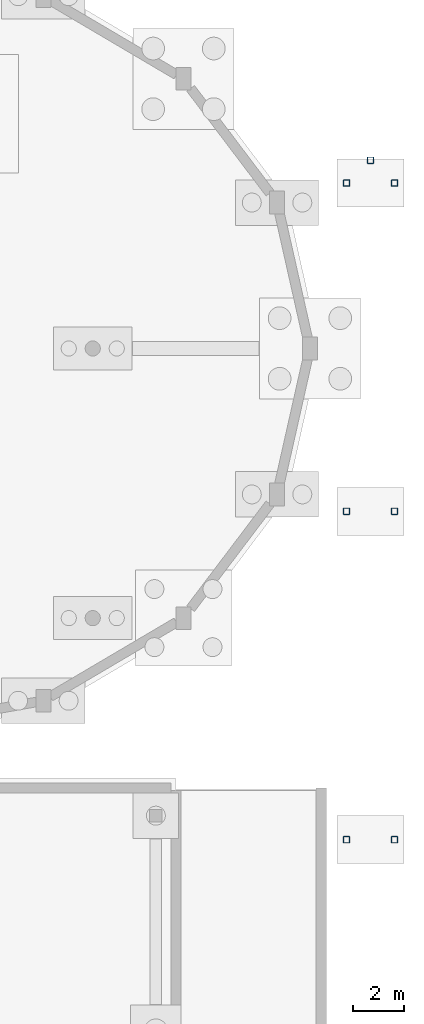
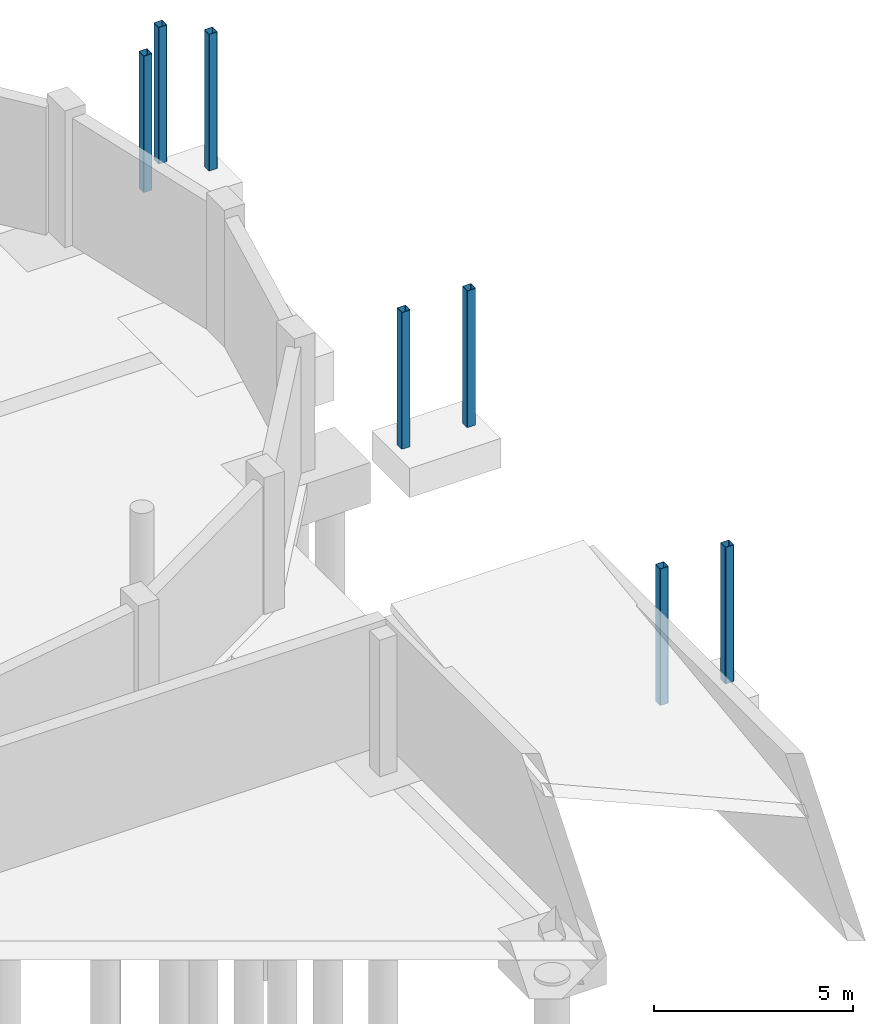
# One storey, part 26 of 43: 7 columns.
"""IFC4 building model written with IfcOpenShell, lengths in metres."""

import ifcopenshell
import ifcopenshell.guid

model = None  # the IFC model being written
_history = None  # IfcOwnerHistory: only IFC2X3 demands one
_inside = {}  # id of a spatial element -> (the spatial element, [elements in it])
_under = {}  # id of a project, library or spatial element -> (it, [spatial elements below it])
_declared = {}  # id of a project -> (the project, [libraries it declares])
_typed = {}  # id of a type object -> (the type object, [elements of that type])
_made_of = {}  # id of a material, layer set ... -> (it, [elements and type objects made of it])


def new_model(schema):
    """Start an empty IFC model of exactly this schema.

    Asked for "IFC4X3", IfcOpenShell would pick the latest addendum, in which some entities
    have other attributes; the version numbers below select the first issue.
    IFC2X3 requires an IfcOwnerHistory on every rooted entity: one is made here for all.
    """
    global model, _history
    if schema == "IFC4X3":
        model = ifcopenshell.file(schema_version=(4, 3, 0, 0))
    else:
        model = ifcopenshell.file(schema=schema)
    _inside.clear()
    _under.clear()
    _declared.clear()
    _typed.clear()
    _made_of.clear()
    _history = None
    if model.schema == "IFC2X3":
        org = make("IfcOrganization", Name="unknown")
        user = make(
            "IfcPersonAndOrganization",
            ThePerson=make("IfcPerson", FamilyName="unknown"),
            TheOrganization=org,
        )
        app = make(
            "IfcApplication",
            ApplicationDeveloper=org,
            Version="unknown",
            ApplicationFullName="unknown",
            ApplicationIdentifier="unknown",
        )
        _history = make(
            "IfcOwnerHistory",
            OwningUser=user,
            OwningApplication=app,
            ChangeAction="ADDED",
            CreationDate=0,
        )
    return model


def make(cls, **values):
    """One entity of the class cls with the attributes given. An attribute that is None is left unset."""
    return model.create_entity(
        cls, **{name: value for name, value in values.items() if value is not None}
    )


def rooted(cls, **values):
    """An entity with a GlobalId (a new one), such as an element, a storey or a relation."""
    return make(cls, GlobalId=ifcopenshell.guid.new(), OwnerHistory=_history, **values)


def si_unit(unit_type, name, prefix=None):
    """IfcSIUnit, for example si_unit("LENGTHUNIT", "METRE", prefix="MILLI")."""
    return make("IfcSIUnit", UnitType=unit_type, Prefix=prefix, Name=name)


def assignment(units):
    """IfcUnitAssignment: the units of a project."""
    return None if units is None else make("IfcUnitAssignment", Units=units)


def point(xyz):
    """IfcCartesianPoint."""
    return None if xyz is None else make("IfcCartesianPoint", Coordinates=xyz)


def direction(xyz):
    """IfcDirection."""
    return None if xyz is None else make("IfcDirection", DirectionRatios=xyz)


def frame(location, z_axis=None, x_axis=None):
    """IfcAxis2Placement3D, a coordinate frame: its origin and axes. An axis left out is left unset."""
    return make(
        "IfcAxis2Placement3D",
        Location=point(location),
        Axis=direction(z_axis),
        RefDirection=direction(x_axis),
    )


def frame_2d(location, x_axis=None):
    """IfcAxis2Placement2D, a coordinate frame in the plane: its origin and x axis."""
    return make(
        "IfcAxis2Placement2D", Location=point(location), RefDirection=direction(x_axis)
    )


def origin():
    """The frame at (0, 0, 0) with its axes left unset."""
    return frame((0.0, 0.0, 0.0))


def origin_2d():
    """The frame at (0, 0) in the plane with its x axis left unset."""
    return frame_2d((0.0, 0.0))


def place(relative_to, where):
    """IfcLocalPlacement: puts the frame where relative to a parent placement (None: the world)."""
    return make(
        "IfcLocalPlacement", PlacementRelTo=relative_to, RelativePlacement=where
    )


def context(
    kind, dimensions, precision=None, world=None, true_north=None, identifier=None
):
    """IfcGeometricRepresentationContext, for example the 3D "Model" context."""
    return make(
        "IfcGeometricRepresentationContext",
        ContextIdentifier=identifier,
        ContextType=kind,
        CoordinateSpaceDimension=dimensions,
        Precision=precision,
        WorldCoordinateSystem=world,
        TrueNorth=true_north,
    )


def subcontext(parent, identifier, kind, view, scale=None):
    """IfcGeometricRepresentationSubContext, for example "Body" below "Model"."""
    return make(
        "IfcGeometricRepresentationSubContext",
        ContextIdentifier=identifier,
        ContextType=kind,
        ParentContext=parent,
        TargetScale=scale,
        TargetView=view,
    )


def project(units=None, contexts=None):
    """IfcProject with its units and contexts."""
    return rooted(
        "IfcProject",
        Name="project",
        RepresentationContexts=contexts,
        UnitsInContext=assignment(units),
    )


def spatial(cls, under=None, at=None, **own):
    """A site, building, storey or space (cls), placed at a placement, below another one or the project."""
    s = rooted(cls, ObjectPlacement=at, **own)
    if under is not None:
        _under.setdefault(under.id(), (under, []))[1].append(s)
    return s


def profile(cls, at=None, kind="AREA", **sizes):
    """A parametric profile (cls). Its sizes go by their IFC names, for example OverallWidth=200.0."""
    return make(cls, ProfileType=kind, Position=at, **sizes)


def hollow_rectangle(**sizes):
    """IfcRectangleHollowProfileDef."""
    return profile("IfcRectangleHollowProfileDef", **sizes)


def extrude(swept, where, along, depth):
    """IfcExtrudedAreaSolid: the profile swept, set in the frame where, extruded along a direction by depth."""
    return make(
        "IfcExtrudedAreaSolid",
        SweptArea=swept,
        Position=where,
        ExtrudedDirection=direction(along),
        Depth=depth,
    )


def shape(context_of_items, identifier, shape_type, items):
    """IfcShapeRepresentation: the items that make up one representation, for example the "Body"."""
    return make(
        "IfcShapeRepresentation",
        ContextOfItems=context_of_items,
        RepresentationIdentifier=identifier,
        RepresentationType=shape_type,
        Items=items,
    )


def material(Name=None, Category=None):
    """IfcMaterial."""
    return make("IfcMaterial", Name=Name, Category=Category)


def material_profile(
    of_material, cross_section, Name=None, Category=None, Priority=None
):
    """IfcMaterialProfile: a cross section and its material."""
    return make(
        "IfcMaterialProfile",
        Name=Name,
        Material=of_material,
        Profile=cross_section,
        Priority=Priority,
        Category=Category,
    )


def profile_set(profiles, Name=None, composite=None):
    """IfcMaterialProfileSet."""
    return make(
        "IfcMaterialProfileSet",
        Name=Name,
        MaterialProfiles=profiles,
        CompositeProfile=composite,
    )


def made_of(thing, what):
    """Note that an element or type object is made of a material, layer set ...; save() writes the relation."""
    if what is not None:
        _made_of.setdefault(what.id(), (what, []))[1].append(thing)
    return thing


def type_object(cls, material=None, **own):
    """A type object (cls), such as IfcWallType, which elements share."""
    return made_of(rooted(cls, **own), material)


def element(
    cls,
    number,
    at=None,
    inside=None,
    cuts=None,
    type_object=None,
    material=None,
    context=None,
    identifier="Body",
    shape_type=None,
    held_by="IfcProductDefinitionShape",
    body=None,
    shapes=None,
    **own,
):
    """One element of the class cls, such as IfcWall. Its Tag is "e" and its number.

    at: its placement. inside: the storey or other place that contains it. cuts: it is an
    opening in that element (IfcRelVoidsElement). A single representation is given by context,
    identifier, shape_type and body (its items); several are given by shapes. held_by: the class
    of the entity that holds the representations. save() writes the other relations.
    """
    e = rooted(cls, Tag="e%d" % number, ObjectPlacement=at, **own)
    if body is not None:
        shapes = [shape(context, identifier, shape_type, body)]
    if shapes is not None:
        e.Representation = make(held_by, Representations=shapes)
    if inside is not None:
        _inside.setdefault(inside.id(), (inside, []))[1].append(e)
    if cuts is not None:
        rooted(
            "IfcRelVoidsElement", RelatingBuildingElement=cuts, RelatedOpeningElement=e
        )
    if type_object is not None:
        _typed.setdefault(type_object.id(), (type_object, []))[1].append(e)
    return made_of(e, material)


def aggregate(whole, parts):
    """IfcRelAggregates: a whole, such as a stair, and the parts it consists of."""
    return rooted("IfcRelAggregates", RelatingObject=whole, RelatedObjects=parts)


def save(model, path):
    """Write the relations noted so far, then the file.

    IfcRelAggregates (storeys below a building ...), IfcRelContainedInSpatialStructure (elements
    in a storey), IfcRelDefinesByType, IfcRelAssociatesMaterial and IfcRelDeclares: one each for
    every whole, place, type object, material and project.
    """
    for whole, parts in _under.values():
        aggregate(whole, parts)
    for where, things in _inside.values():
        rooted(
            "IfcRelContainedInSpatialStructure",
            RelatedElements=things,
            RelatingStructure=where,
        )
    for kind, things in _typed.values():
        rooted("IfcRelDefinesByType", RelatedObjects=things, RelatingType=kind)
    for what, things in _made_of.values():
        rooted("IfcRelAssociatesMaterial", RelatedObjects=things, RelatingMaterial=what)
    for by, libraries in _declared.values():
        rooted("IfcRelDeclares", RelatingContext=by, RelatedDefinitions=libraries)
    model.write(path)


model = new_model("IFC4")

# Units and contexts
model_context = context("Model", 3, precision=1e-05, world=origin(), true_north=direction((0.0, 1.0)))
body_context = subcontext(model_context, "Body", "Model", "MODEL_VIEW")
ifc_project = project(units=[si_unit("LENGTHUNIT", "METRE"), si_unit("AREAUNIT", "SQUARE_METRE"), si_unit("VOLUMEUNIT", "CUBIC_METRE"), si_unit("PLANEANGLEUNIT", "RADIAN"), si_unit("MASSUNIT", "GRAM", prefix="KILO")], contexts=[model_context])

# Site, building, storey
site_placement = place(None, origin())
site = spatial("IfcSite", under=ifc_project, at=site_placement, CompositionType="ELEMENT")
building_placement = place(site_placement, origin())
building = spatial("IfcBuilding", under=site, at=building_placement, Name="Vespera Passage Community Centre", CompositionType="ELEMENT")
storey_placement = place(building_placement, frame((0.0, 0.0, -4.199951171875)))
storey = spatial("IfcBuildingStorey", under=building, at=storey_placement, Name="B1", CompositionType="ELEMENT", Elevation=-4.199951171875)

# Columns
ifc_material = material(Name="Steel ASTM A500 Grade C", Category="steel")
ifc_material_profile = material_profile(ifc_material, hollow_rectangle(XDim=0.25390625, YDim=0.25390625, WallThickness=0.01171875, InnerFilletRadius=0.01171875, OuterFilletRadius=0.023681640625, at=origin_2d()), Name="HSS254X254X12.7")
ifc_profile_set = profile_set([ifc_material_profile], Name="Steel ASTM A500 Grade C")
column_type = type_object("IfcColumnType", Name="COL-HSS254E", PredefinedType="COLUMN", material=ifc_profile_set)
for number, where, z_axis, x_axis, name in (
    (1, (161.550048828125, 70.050048828125, 0.0), (0.0, 0.0, 1.0), (1.0, 0.0, 0.0), "B1 Column RB1-P04-1"),
    (2, (163.449951171875, 70.050048828125, 0.0), (0.0, 0.0, 1.0), (1.0, 0.0, 0.0), "B1 Column RB1-P04-2"),
    (3, (161.550048828125, 83.050048828125, 0.0), (0.0, 0.0, 1.0), (1.0, 0.0, 0.0), "B1 Column RB1-P05-1"),
    (4, (163.449951171875, 83.050048828125, 0.0), (0.0, 0.0, 1.0), (1.0, 0.0, 0.0), "B1 Column RB1-P05-2"),
    (5, (161.550048828125, 96.050048828125, 0.0), (0.0, 0.0, 1.0), (1.0, 0.0, 0.0), "B1 Column RB1-P06-1"),
    (6, (163.449951171875, 96.050048828125, 0.0), (0.0, 0.0, 1.0), (1.0, 0.0, 0.0), "B1 Column RB1-P06-2"),
    (7, (162.5, 96.949951171875, 0.0), (0.0, 0.0, 1.0), (1.0, 0.0, 0.0), "B1 Column RB1-P06-3"),
):
    element("IfcColumn", number, at=place(storey_placement, frame(where, z_axis=z_axis, x_axis=x_axis)), inside=storey, type_object=column_type, Name=name, PredefinedType="COLUMN", context=body_context, shape_type="SweptSolid", body=[
        extrude(hollow_rectangle(XDim=0.25390625, YDim=0.25390625, WallThickness=0.01171875, InnerFilletRadius=0.01171875, OuterFilletRadius=0.023681640625, at=origin_2d()), origin(), (0.0, 0.0, 1.0), 4.199951171875),
    ])

save(model, "model.ifc")
